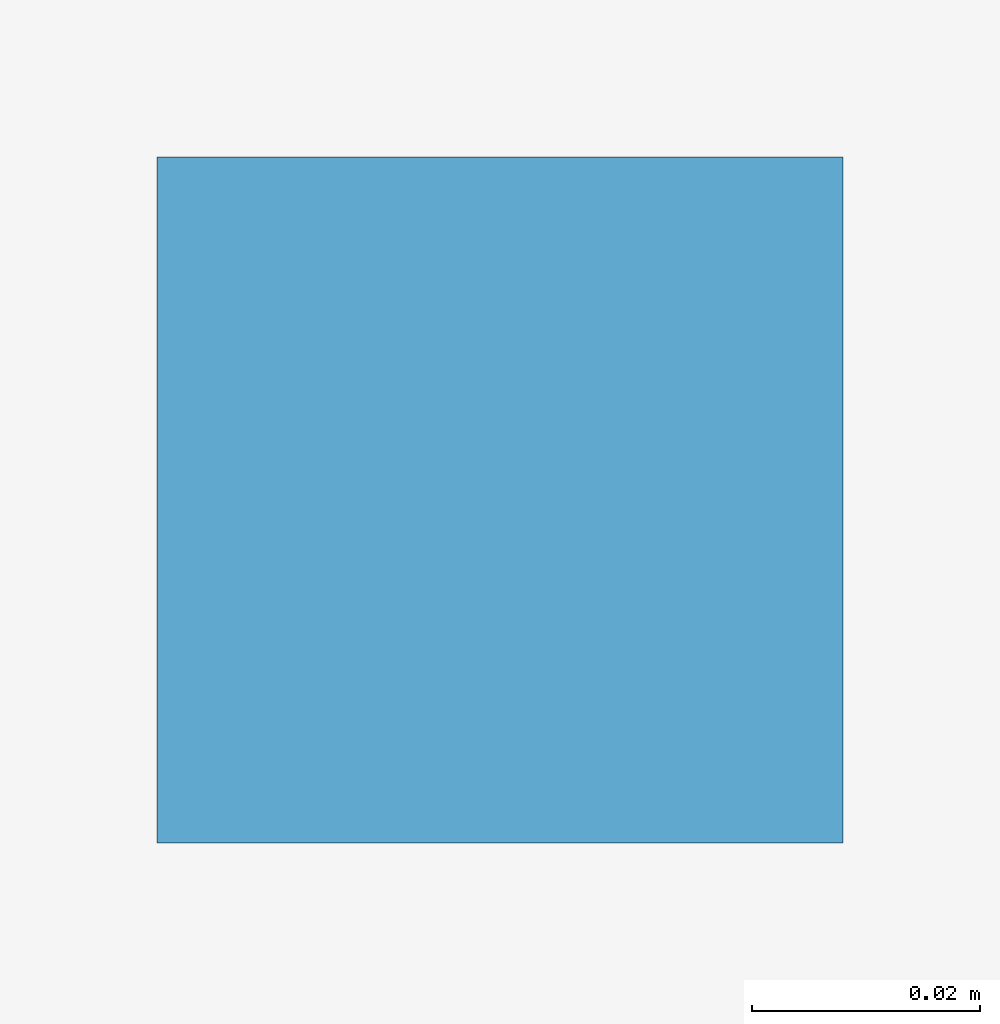
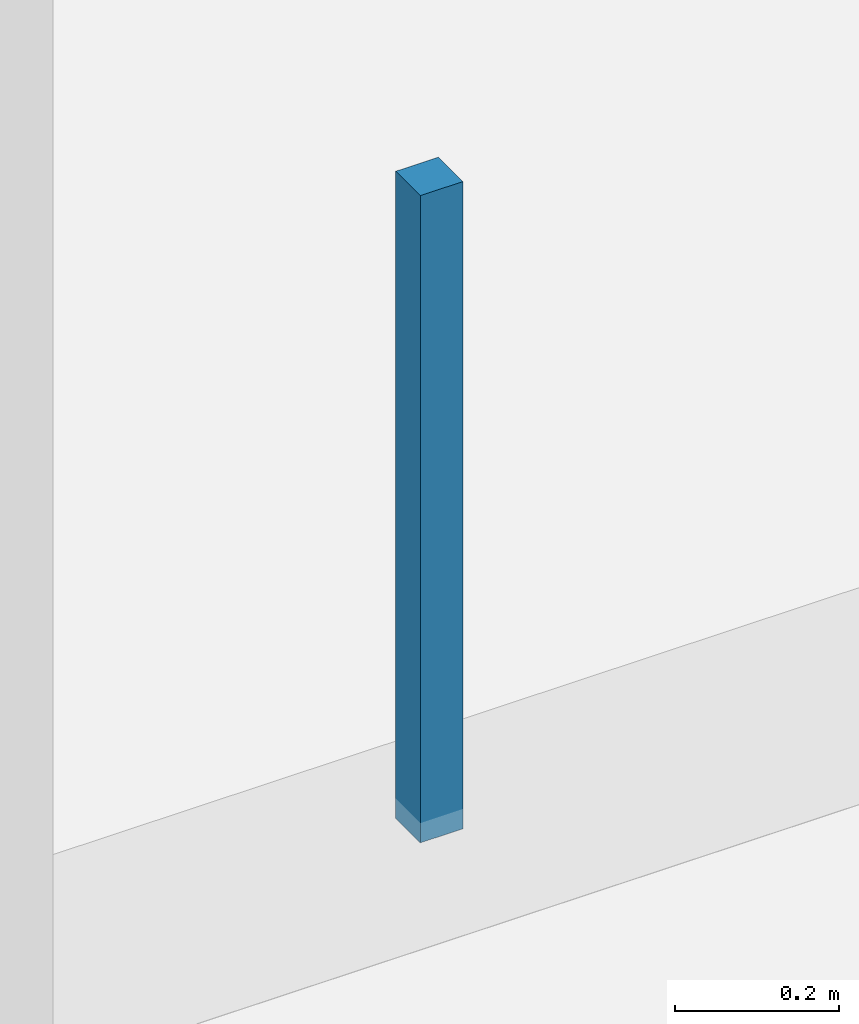
# One storey, part 71 of 128: 1 discrete accessory.
"""IFC4 building model written with IfcOpenShell, lengths in metres."""

from ifc_helpers import new_model, si_unit, direction, frame, origin, origin_2d, place, context, subcontext, project, spatial, rectangle, extrude, material, type_object, element, save


model = new_model("IFC4")

# Units and contexts
model_context = context("Model", 3, precision=1e-05, world=origin(), true_north=direction((0.0, 1.0)))
body_context = subcontext(model_context, "Body", "Model", "MODEL_VIEW")
ifc_project = project(units=[si_unit("LENGTHUNIT", "METRE"), si_unit("AREAUNIT", "SQUARE_METRE"), si_unit("VOLUMEUNIT", "CUBIC_METRE"), si_unit("PLANEANGLEUNIT", "RADIAN"), si_unit("MASSUNIT", "GRAM", prefix="KILO")], contexts=[model_context])

# Site, building, storey
site_placement = place(None, origin())
site = spatial("IfcSite", under=ifc_project, at=site_placement, CompositionType="ELEMENT")
building_placement = place(site_placement, origin())
building = spatial("IfcBuilding", under=site, at=building_placement, Name="Telukmera Botanical Conservatory", CompositionType="ELEMENT")
storey_placement = place(building_placement, frame((0.0, 0.0, 5.39990234375)))
storey = spatial("IfcBuildingStorey", under=building, at=storey_placement, Name="L01", CompositionType="ELEMENT", Elevation=5.39990234375)

# Discrete accessory
ifc_material = material(Name="Steel S355", Category="steel")
discrete_accessory_type = type_object("IfcDiscreteAccessoryType", Name="ACC-CEIL-HGR", PredefinedType="BRACKET", material=ifc_material)
discrete_accessory_placement = place(storey_placement, frame((32.114013671875, 38.35009765625, 3.6201171875), z_axis=(0.0, 0.0, 1.0), x_axis=(1.0, 0.0, 0.0)))
element("IfcDiscreteAccessory", 1, at=discrete_accessory_placement, inside=storey, type_object=discrete_accessory_type, Name="L01 Suspended Ceiling Hanger Rod 013-1", PredefinedType="BRACKET", context=body_context, shape_type="SweptSolid", body=[
    extrude(rectangle(XDim=0.06005859375, YDim=0.06005859375, at=origin_2d()), origin(), (0.0, 0.0, 1.0), 0.965087890625),
])

save(model, "model.ifc")
